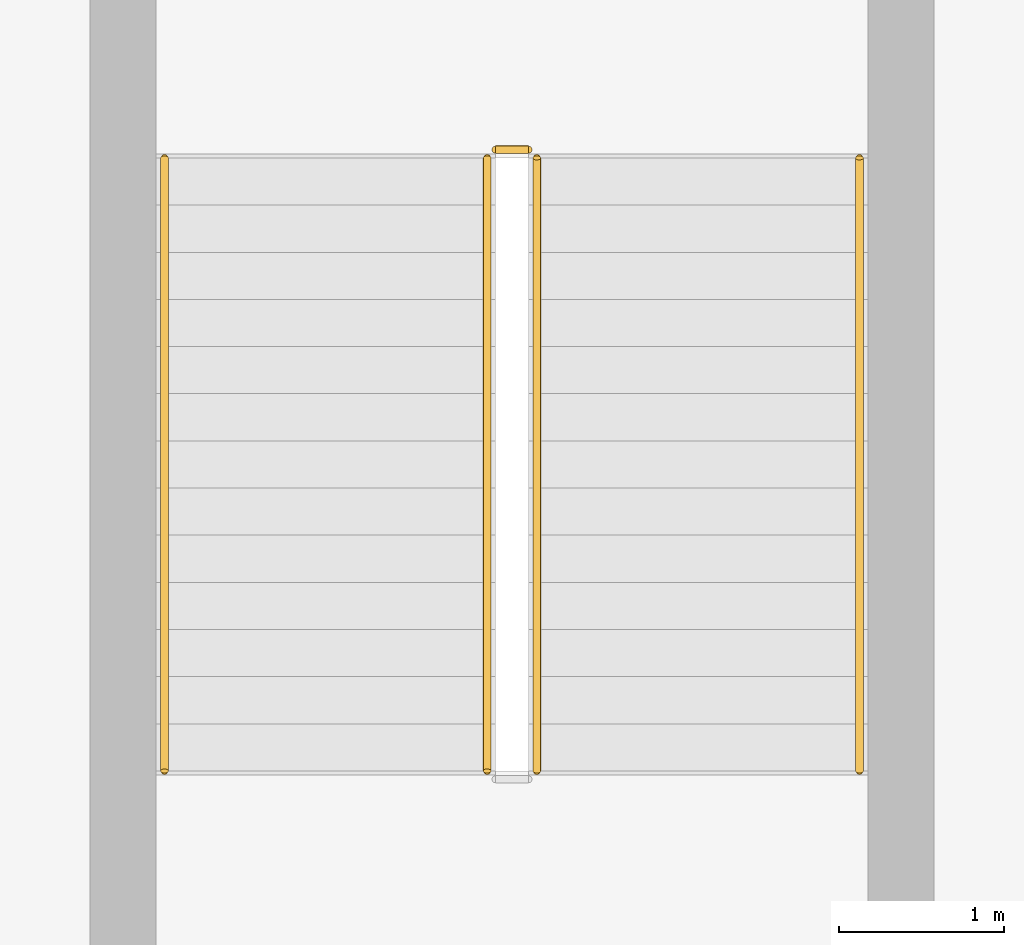
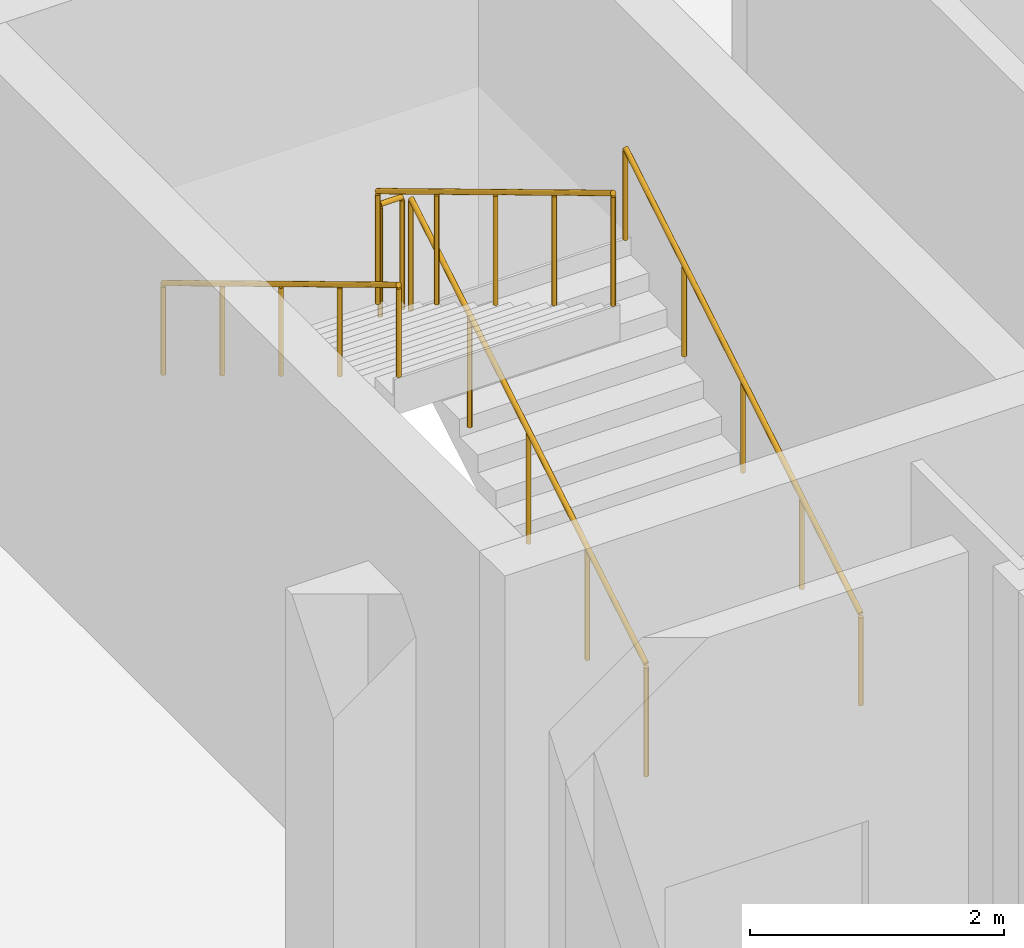
# One storey, part 99 of 99: 5 railings.
"""IFC4 building model written with IfcOpenShell, lengths in metres."""

from ifc_helpers import new_model, si_unit, direction, frame, origin, origin_2d, place, context, subcontext, project, spatial, circle, extrude, material, type_object, element, save


model = new_model("IFC4")

# Units and contexts
model_context = context("Model", 3, precision=1e-05, world=origin(), true_north=direction((0.0, 1.0)))
body_context = subcontext(model_context, "Body", "Model", "MODEL_VIEW")
ifc_project = project(units=[si_unit("LENGTHUNIT", "METRE"), si_unit("AREAUNIT", "SQUARE_METRE"), si_unit("VOLUMEUNIT", "CUBIC_METRE"), si_unit("PLANEANGLEUNIT", "RADIAN"), si_unit("MASSUNIT", "GRAM", prefix="KILO")], contexts=[model_context])

# Site, building, storey
site_placement = place(None, origin())
site = spatial("IfcSite", under=ifc_project, at=site_placement, CompositionType="ELEMENT")
building_placement = place(site_placement, origin())
building = spatial("IfcBuilding", under=site, at=building_placement, Name="Caelomonte Colonnade Arena", CompositionType="ELEMENT")
storey_placement = place(building_placement, frame((0.0, 0.0, 4.800048828125)))
storey = spatial("IfcBuildingStorey", under=building, at=storey_placement, Name="L01", CompositionType="ELEMENT", Elevation=4.800048828125)

# Railings
ifc_material_1 = material(Name="Painted galvanized steel stair guard", Category="steel")
railing_type_1 = type_object("IfcRailingType", Name="INT-RL-GRD", PredefinedType="GUARDRAIL", material=ifc_material_1)
railing_1_placement = place(storey_placement, frame((157.699951171875, 127.25, 0.17138671875)))
element("IfcRailing", 1, at=railing_1_placement, inside=storey, type_object=railing_type_1, Name="L01 ST-06 stair guard 1", PredefinedType="GUARDRAIL", context=body_context, shape_type="SweptSolid", body=[
    extrude(circle(Radius=0.02392578125, at=origin_2d()), frame((0.0, 0.0, 1.076171875), z_axis=(0.0, 0.856934400257, 0.515425487977), x_axis=(-1.0, 0.0, 0.0)), (0.0, 0.0, 1.0), 4.32373046875),
    extrude(circle(Radius=0.02099609375, at=origin_2d()), origin(), (0.0, 0.0, 1.0), 1.048095703125),
    extrude(circle(Radius=0.02099609375, at=origin_2d()), frame((0.0, 0.92626953125, 0.55712890625)), (0.0, 0.0, 1.0), 1.048095703125),
    extrude(circle(Radius=0.02099609375, at=origin_2d()), frame((0.0, 1.8525390625, 1.1142578125)), (0.0, 0.0, 1.0), 1.048095703125),
    extrude(circle(Radius=0.02099609375, at=origin_2d()), frame((0.0, 2.77880859375, 1.67138671875)), (0.0, 0.0, 1.0), 1.048095703125),
    extrude(circle(Radius=0.02099609375, at=origin_2d()), frame((0.0, 3.705078125, 2.228515625)), (0.0, 0.0, 1.0), 1.048095703125),
])
railing_2_placement = place(storey_placement, frame((157.64990234375, 131.0048828125, 2.39990234375)))
element("IfcRailing", 2, at=railing_2_placement, inside=storey, type_object=railing_type_1, Name="L01 ST-06 stair guard 2", PredefinedType="GUARDRAIL", context=body_context, shape_type="SweptSolid", body=[
    extrude(circle(Radius=0.02392578125, at=origin_2d()), frame((0.0, 0.0, 1.076171875), z_axis=(-1.0, 0.0, 0.0), x_axis=(0.0, -1.0, 0.0)), (0.0, 0.0, 1.0), 0.199951171875),
    extrude(circle(Radius=0.02099609375, at=origin_2d()), origin(), (0.0, 0.0, 1.0), 1.048095703125),
    extrude(circle(Radius=0.02099609375, at=origin_2d()), frame((-0.199951171875, 0.0, 0.0)), (0.0, 0.0, 1.0), 1.048095703125),
])
railing_3_placement = place(storey_placement, frame((157.39990234375, 130.955078125, 2.5712890625)))
element("IfcRailing", 3, at=railing_3_placement, inside=storey, type_object=railing_type_1, Name="L01 ST-06 stair guard 3", PredefinedType="GUARDRAIL", context=body_context, shape_type="SweptSolid", body=[
    extrude(circle(Radius=0.02392578125, at=origin_2d()), frame((0.0, 0.0, 1.076171875), z_axis=(0.0, -0.856909459561, 0.515466951525), x_axis=(1.0, 0.0, 0.0)), (0.0, 0.0, 1.0), 4.32373046875),
    extrude(circle(Radius=0.02099609375, at=origin_2d()), origin(), (0.0, 0.0, 1.0), 1.048095703125),
    extrude(circle(Radius=0.02099609375, at=origin_2d()), frame((0.0, -0.92626953125, 0.55712890625)), (0.0, 0.0, 1.0), 1.048095703125),
    extrude(circle(Radius=0.02099609375, at=origin_2d()), frame((0.0, -1.8525390625, 1.1142578125)), (0.0, 0.0, 1.0), 1.048095703125),
    extrude(circle(Radius=0.02099609375, at=origin_2d()), frame((0.0, -2.77880859375, 1.671630859375)), (0.0, 0.0, 1.0), 1.048095703125),
    extrude(circle(Radius=0.02099609375, at=origin_2d()), frame((0.0, -3.705078125, 2.228759765625)), (0.0, 0.0, 1.0), 1.048095703125),
])
ifc_material_2 = material(Name="Brushed stainless steel stair handrail", Category="steel")
railing_type_2 = type_object("IfcRailingType", Name="INT-RL-HR", PredefinedType="HANDRAIL", material=ifc_material_2)
railing_4_placement = place(storey_placement, frame((159.64990234375, 127.25, 0.17138671875)))
element("IfcRailing", 4, at=railing_4_placement, inside=storey, type_object=railing_type_2, Name="L01 ST-06 stair handrail 1", PredefinedType="HANDRAIL", context=body_context, shape_type="SweptSolid", body=[
    extrude(circle(Radius=0.02392578125, at=origin_2d()), frame((0.0, 0.0, 0.8759765625), z_axis=(0.0, 0.856934400257, 0.515425487977), x_axis=(-1.0, 0.0, 0.0)), (0.0, 0.0, 1.0), 4.32373046875),
    extrude(circle(Radius=0.02099609375, at=origin_2d()), origin(), (0.0, 0.0, 1.0), 0.847900390625),
    extrude(circle(Radius=0.02099609375, at=origin_2d()), frame((0.0, 0.92626953125, 0.55712890625)), (0.0, 0.0, 1.0), 0.847900390625),
    extrude(circle(Radius=0.02099609375, at=origin_2d()), frame((0.0, 1.8525390625, 1.1142578125)), (0.0, 0.0, 1.0), 0.847900390625),
    extrude(circle(Radius=0.02099609375, at=origin_2d()), frame((0.0, 2.77880859375, 1.67138671875)), (0.0, 0.0, 1.0), 0.847900390625),
    extrude(circle(Radius=0.02099609375, at=origin_2d()), frame((0.0, 3.705078125, 2.228515625)), (0.0, 0.0, 1.0), 0.847900390625),
])
railing_5_placement = place(storey_placement, frame((155.449951171875, 130.955078125, 2.5712890625)))
element("IfcRailing", 5, at=railing_5_placement, inside=storey, type_object=railing_type_2, Name="L01 ST-06 stair handrail 2", PredefinedType="HANDRAIL", context=body_context, shape_type="SweptSolid", body=[
    extrude(circle(Radius=0.02392578125, at=origin_2d()), frame((0.0, 0.0, 0.8759765625), z_axis=(0.0, -0.856909459561, 0.515466951525), x_axis=(1.0, 0.0, 0.0)), (0.0, 0.0, 1.0), 4.32373046875),
    extrude(circle(Radius=0.02099609375, at=origin_2d()), origin(), (0.0, 0.0, 1.0), 0.847900390625),
    extrude(circle(Radius=0.02099609375, at=origin_2d()), frame((0.0, -0.92626953125, 0.55712890625)), (0.0, 0.0, 1.0), 0.847900390625),
    extrude(circle(Radius=0.02099609375, at=origin_2d()), frame((0.0, -1.8525390625, 1.1142578125)), (0.0, 0.0, 1.0), 0.847900390625),
    extrude(circle(Radius=0.02099609375, at=origin_2d()), frame((0.0, -2.77880859375, 1.671630859375)), (0.0, 0.0, 1.0), 0.847900390625),
    extrude(circle(Radius=0.02099609375, at=origin_2d()), frame((0.0, -3.705078125, 2.228759765625)), (0.0, 0.0, 1.0), 0.847900390625),
])

save(model, "model.ifc")
